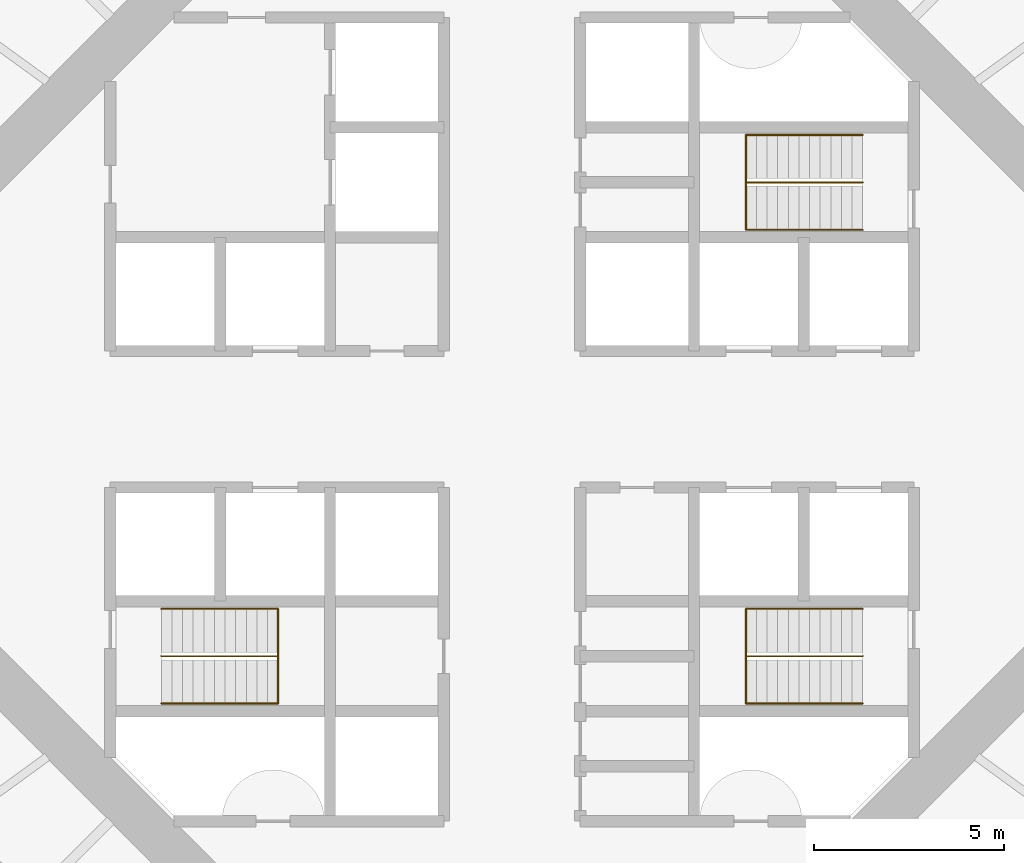
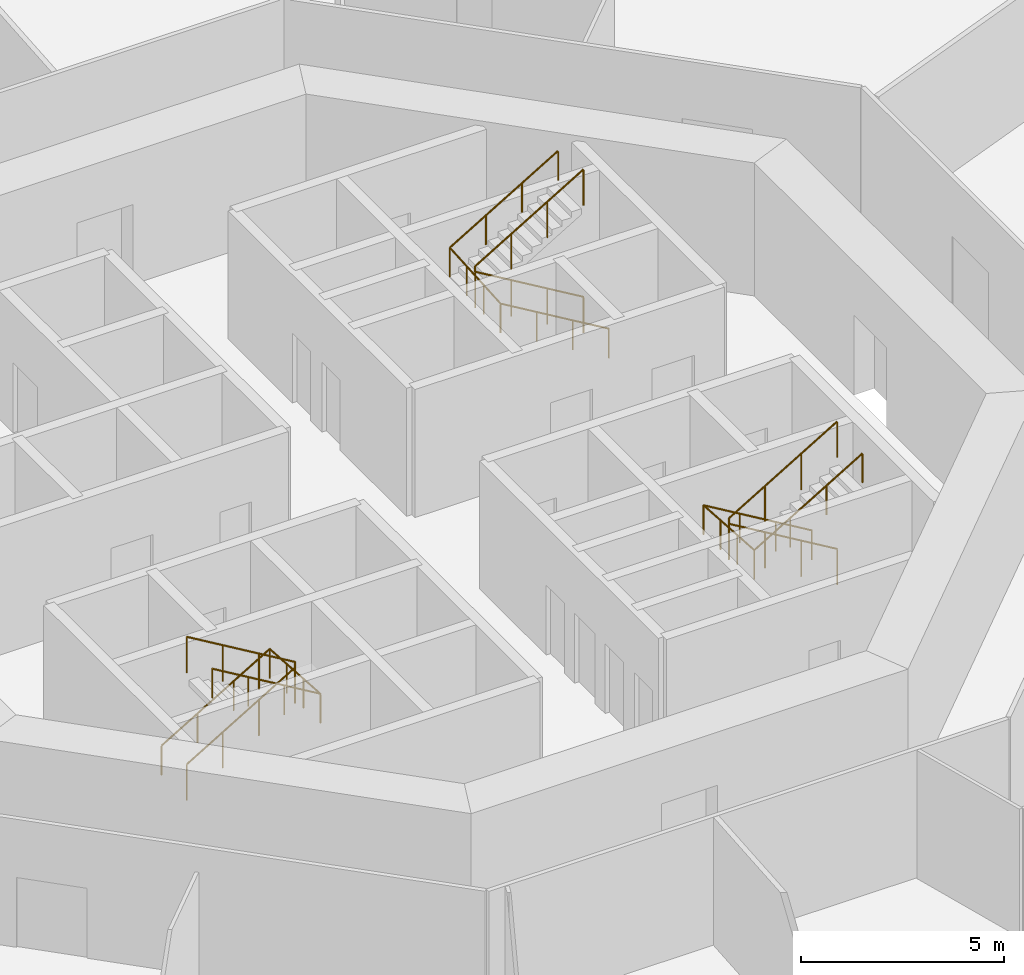
# One storey, part 14 of 14: 6 railings.
"""IFC4 building model written with IfcOpenShell, lengths in metres."""

from ifc_helpers import new_model, si_unit, direction, frame, origin, origin_2d, place, context, subcontext, project, spatial, circle, extrude, material, type_object, element, save


model = new_model("IFC4")

# Units and contexts
model_context = context("Model", 3, precision=1e-05, world=origin(), true_north=direction((0.0, 1.0)))
body_context = subcontext(model_context, "Body", "Model", "MODEL_VIEW")
ifc_project = project(units=[si_unit("LENGTHUNIT", "METRE"), si_unit("AREAUNIT", "SQUARE_METRE"), si_unit("VOLUMEUNIT", "CUBIC_METRE"), si_unit("PLANEANGLEUNIT", "RADIAN"), si_unit("MASSUNIT", "GRAM", prefix="KILO")], contexts=[model_context])

# Site, building, storey
site_placement = place(None, origin())
site = spatial("IfcSite", under=ifc_project, at=site_placement, CompositionType="ELEMENT")
building_placement = place(site_placement, origin())
building = spatial("IfcBuilding", under=site, at=building_placement, Name="Entoto Ring Tower", CompositionType="ELEMENT")
storey_placement = place(building_placement, frame((0.0, 0.0, 80.0)))
storey = spatial("IfcBuildingStorey", under=building, at=storey_placement, Name="L17", CompositionType="ELEMENT", Elevation=80.0)

# Railings
ifc_material_1 = material(Name="Steel S275", Category="steel")
railing_type_1 = type_object("IfcRailingType", Name="Stair guard 1100 mm steel", PredefinedType="GUARDRAIL", material=ifc_material_1)
railing_1_placement = place(storey_placement, frame((99.25, 86.25, 0.166748046875)))
element("IfcRailing", 1, at=railing_1_placement, inside=storey, type_object=railing_type_1, Name="Guard ST1", PredefinedType="GUARDRAIL", context=body_context, shape_type="SweptSolid", body=[
    extrude(circle(Radius=0.02392578125, at=origin_2d()), frame((0.0, 0.0, 1.076171875), z_axis=(-0.859308565015, 0.0, 0.511457515432), x_axis=(0.0, -1.0, 0.0)), (0.0, 0.0, 1.0), 3.58447265625),
    extrude(circle(Radius=0.02392578125, at=origin_2d()), frame((-3.080078125, 0.0, 2.9091796875), z_axis=(0.0, 0.0, 1.0), x_axis=(1.0, 0.0, 0.0)), (0.0, 0.0, 1.0), 0.166748046875),
    extrude(circle(Radius=0.02392578125, at=origin_2d()), frame((-3.080078125, 0.0, 3.076171875), z_axis=(0.859308565015, 0.0, 0.511457515432), x_axis=(0.0, 1.0, 0.0)), (0.0, 0.0, 1.0), 3.58447265625),
    extrude(circle(Radius=0.02099609375, at=origin_2d()), origin(), (0.0, 0.0, 1.0), 1.052001953125),
    extrude(circle(Radius=0.02099609375, at=origin_2d()), frame((-1.026611328125, 0.0, 0.611083984375)), (0.0, 0.0, 1.0), 1.052001953125),
    extrude(circle(Radius=0.02099609375, at=origin_2d()), frame((-2.053466796875, 0.0, 1.22216796875)), (0.0, 0.0, 1.0), 1.052001953125),
    extrude(circle(Radius=0.02099609375, at=origin_2d()), frame((-3.080078125, 0.0, 1.833251953125)), (0.0, 0.0, 1.0), 1.052001953125),
    extrude(circle(Radius=0.02099609375, at=origin_2d()), frame((-3.080078125, 0.0, 2.0)), (0.0, 0.0, 1.0), 1.052001953125),
    extrude(circle(Radius=0.02099609375, at=origin_2d()), frame((-2.053466796875, 0.0, 2.611083984375)), (0.0, 0.0, 1.0), 1.052001953125),
    extrude(circle(Radius=0.02099609375, at=origin_2d()), frame((-1.026611328125, 0.0, 3.22216796875)), (0.0, 0.0, 1.0), 1.052001953125),
    extrude(circle(Radius=0.02099609375, at=origin_2d()), frame((0.0, 0.0, 3.833251953125)), (0.0, 0.0, 1.0), 1.052001953125),
])
railing_2_placement = place(storey_placement, frame((80.75, 73.75, 0.166748046875)))
element("IfcRailing", 2, at=railing_2_placement, inside=storey, type_object=railing_type_1, Name="Guard ST2", PredefinedType="GUARDRAIL", context=body_context, shape_type="SweptSolid", body=[
    extrude(circle(Radius=0.02392578125, at=origin_2d()), frame((0.0, 0.0, 1.076171875), z_axis=(0.859308565015, 0.0, 0.511457515432), x_axis=(0.0, 1.0, 0.0)), (0.0, 0.0, 1.0), 3.58447265625),
    extrude(circle(Radius=0.02392578125, at=origin_2d()), frame((3.080078125, 0.0, 2.9091796875), z_axis=(0.0, 0.0, 1.0), x_axis=(1.0, 0.0, 0.0)), (0.0, 0.0, 1.0), 0.166748046875),
    extrude(circle(Radius=0.02392578125, at=origin_2d()), frame((3.080078125, 0.0, 3.076171875), z_axis=(-0.859308565015, 0.0, 0.511457515432), x_axis=(0.0, -1.0, 0.0)), (0.0, 0.0, 1.0), 3.58447265625),
    extrude(circle(Radius=0.02099609375, at=origin_2d()), origin(), (0.0, 0.0, 1.0), 1.052001953125),
    extrude(circle(Radius=0.02099609375, at=origin_2d()), frame((1.026611328125, 0.0, 0.611083984375)), (0.0, 0.0, 1.0), 1.052001953125),
    extrude(circle(Radius=0.02099609375, at=origin_2d()), frame((2.053466796875, 0.0, 1.22216796875)), (0.0, 0.0, 1.0), 1.052001953125),
    extrude(circle(Radius=0.02099609375, at=origin_2d()), frame((3.080078125, 0.0, 1.833251953125)), (0.0, 0.0, 1.0), 1.052001953125),
    extrude(circle(Radius=0.02099609375, at=origin_2d()), frame((3.080078125, 0.0, 2.0)), (0.0, 0.0, 1.0), 1.052001953125),
    extrude(circle(Radius=0.02099609375, at=origin_2d()), frame((2.053466796875, 0.0, 2.611083984375)), (0.0, 0.0, 1.0), 1.052001953125),
    extrude(circle(Radius=0.02099609375, at=origin_2d()), frame((1.026611328125, 0.0, 3.22216796875)), (0.0, 0.0, 1.0), 1.052001953125),
    extrude(circle(Radius=0.02099609375, at=origin_2d()), frame((0.0, 0.0, 3.833251953125)), (0.0, 0.0, 1.0), 1.052001953125),
])
railing_3_placement = place(storey_placement, frame((99.25, 73.75, 0.166748046875)))
element("IfcRailing", 3, at=railing_3_placement, inside=storey, type_object=railing_type_1, Name="Guard ST3", PredefinedType="GUARDRAIL", context=body_context, shape_type="SweptSolid", body=[
    extrude(circle(Radius=0.02392578125, at=origin_2d()), frame((0.0, 0.0, 1.076171875), z_axis=(-0.859308565015, 0.0, 0.511457515432), x_axis=(0.0, -1.0, 0.0)), (0.0, 0.0, 1.0), 3.58447265625),
    extrude(circle(Radius=0.02392578125, at=origin_2d()), frame((-3.080078125, 0.0, 2.9091796875), z_axis=(0.0, 0.0, 1.0), x_axis=(1.0, 0.0, 0.0)), (0.0, 0.0, 1.0), 0.166748046875),
    extrude(circle(Radius=0.02392578125, at=origin_2d()), frame((-3.080078125, 0.0, 3.076171875), z_axis=(0.859308565015, 0.0, 0.511457515432), x_axis=(0.0, 1.0, 0.0)), (0.0, 0.0, 1.0), 3.58447265625),
    extrude(circle(Radius=0.02099609375, at=origin_2d()), origin(), (0.0, 0.0, 1.0), 1.052001953125),
    extrude(circle(Radius=0.02099609375, at=origin_2d()), frame((-1.026611328125, 0.0, 0.611083984375)), (0.0, 0.0, 1.0), 1.052001953125),
    extrude(circle(Radius=0.02099609375, at=origin_2d()), frame((-2.053466796875, 0.0, 1.22216796875)), (0.0, 0.0, 1.0), 1.052001953125),
    extrude(circle(Radius=0.02099609375, at=origin_2d()), frame((-3.080078125, 0.0, 1.833251953125)), (0.0, 0.0, 1.0), 1.052001953125),
    extrude(circle(Radius=0.02099609375, at=origin_2d()), frame((-3.080078125, 0.0, 2.0)), (0.0, 0.0, 1.0), 1.052001953125),
    extrude(circle(Radius=0.02099609375, at=origin_2d()), frame((-2.053466796875, 0.0, 2.611083984375)), (0.0, 0.0, 1.0), 1.052001953125),
    extrude(circle(Radius=0.02099609375, at=origin_2d()), frame((-1.026611328125, 0.0, 3.22216796875)), (0.0, 0.0, 1.0), 1.052001953125),
    extrude(circle(Radius=0.02099609375, at=origin_2d()), frame((0.0, 0.0, 3.833251953125)), (0.0, 0.0, 1.0), 1.052001953125),
])
ifc_material_2 = material(Name="Steel S275", Category="steel")
railing_type_2 = type_object("IfcRailingType", Name="Stair handrail 900 mm steel", PredefinedType="HANDRAIL", material=ifc_material_2)
railing_4_placement = place(storey_placement, frame((99.25, 85.0, 0.166748046875)))
element("IfcRailing", 4, at=railing_4_placement, inside=storey, type_object=railing_type_2, Name="Handrail ST1", PredefinedType="HANDRAIL", context=body_context, shape_type="SweptSolid", body=[
    extrude(circle(Radius=0.02392578125, at=origin_2d()), frame((0.0, 0.0, 0.8759765625), z_axis=(-0.859308565015, 0.0, 0.511457515432), x_axis=(0.0, -1.0, 0.0)), (0.0, 0.0, 1.0), 3.58447265625),
    extrude(circle(Radius=0.02392578125, at=origin_2d()), frame((-3.080078125, 0.0, 2.708984375), z_axis=(0.0, 0.997783001586, 0.066551346688), x_axis=(-1.0, 0.0, 0.0)), (0.0, 0.0, 1.0), 2.505615234375),
    extrude(circle(Radius=0.02392578125, at=origin_2d()), frame((-3.080078125, 2.5, 2.8759765625), z_axis=(0.859308565015, 0.0, 0.511457515432), x_axis=(0.0, 1.0, 0.0)), (0.0, 0.0, 1.0), 3.58447265625),
    extrude(circle(Radius=0.02099609375, at=origin_2d()), origin(), (0.0, 0.0, 1.0), 0.851806640625),
    extrude(circle(Radius=0.02099609375, at=origin_2d()), frame((-1.026611328125, 0.0, 0.611083984375)), (0.0, 0.0, 1.0), 0.851806640625),
    extrude(circle(Radius=0.02099609375, at=origin_2d()), frame((-2.053466796875, 0.0, 1.22216796875)), (0.0, 0.0, 1.0), 0.851806640625),
    extrude(circle(Radius=0.02099609375, at=origin_2d()), frame((-3.080078125, 0.0, 1.833251953125)), (0.0, 0.0, 1.0), 0.851806640625),
    extrude(circle(Radius=0.02099609375, at=origin_2d()), frame((-3.080078125, 0.833251953125, 1.888916015625)), (0.0, 0.0, 1.0), 0.851806640625),
    extrude(circle(Radius=0.02099609375, at=origin_2d()), frame((-3.080078125, 1.666748046875, 1.9443359375)), (0.0, 0.0, 1.0), 0.851806640625),
    extrude(circle(Radius=0.02099609375, at=origin_2d()), frame((-3.080078125, 2.5, 2.0)), (0.0, 0.0, 1.0), 0.851806640625),
    extrude(circle(Radius=0.02099609375, at=origin_2d()), frame((-2.053466796875, 2.5, 2.611083984375)), (0.0, 0.0, 1.0), 0.851806640625),
    extrude(circle(Radius=0.02099609375, at=origin_2d()), frame((-1.026611328125, 2.5, 3.22216796875)), (0.0, 0.0, 1.0), 0.851806640625),
    extrude(circle(Radius=0.02099609375, at=origin_2d()), frame((0.0, 2.5, 3.833251953125)), (0.0, 0.0, 1.0), 0.851806640625),
])
railing_5_placement = place(storey_placement, frame((80.75, 75.0, 0.166748046875)))
element("IfcRailing", 5, at=railing_5_placement, inside=storey, type_object=railing_type_2, Name="Handrail ST2", PredefinedType="HANDRAIL", context=body_context, shape_type="SweptSolid", body=[
    extrude(circle(Radius=0.02392578125, at=origin_2d()), frame((0.0, 0.0, 0.8759765625), z_axis=(0.859308565015, 0.0, 0.511457515432), x_axis=(0.0, 1.0, 0.0)), (0.0, 0.0, 1.0), 3.58447265625),
    extrude(circle(Radius=0.02392578125, at=origin_2d()), frame((3.080078125, 0.0, 2.708984375), z_axis=(0.0, -0.997783001586, 0.066551346688), x_axis=(1.0, 0.0, 0.0)), (0.0, 0.0, 1.0), 2.505615234375),
    extrude(circle(Radius=0.02392578125, at=origin_2d()), frame((3.080078125, -2.5, 2.8759765625), z_axis=(-0.859308565015, 0.0, 0.511457515432), x_axis=(0.0, -1.0, 0.0)), (0.0, 0.0, 1.0), 3.58447265625),
    extrude(circle(Radius=0.02099609375, at=origin_2d()), origin(), (0.0, 0.0, 1.0), 0.851806640625),
    extrude(circle(Radius=0.02099609375, at=origin_2d()), frame((1.026611328125, 0.0, 0.611083984375)), (0.0, 0.0, 1.0), 0.851806640625),
    extrude(circle(Radius=0.02099609375, at=origin_2d()), frame((2.053466796875, 0.0, 1.22216796875)), (0.0, 0.0, 1.0), 0.851806640625),
    extrude(circle(Radius=0.02099609375, at=origin_2d()), frame((3.080078125, 0.0, 1.833251953125)), (0.0, 0.0, 1.0), 0.851806640625),
    extrude(circle(Radius=0.02099609375, at=origin_2d()), frame((3.080078125, -0.833251953125, 1.888916015625)), (0.0, 0.0, 1.0), 0.851806640625),
    extrude(circle(Radius=0.02099609375, at=origin_2d()), frame((3.080078125, -1.666748046875, 1.9443359375)), (0.0, 0.0, 1.0), 0.851806640625),
    extrude(circle(Radius=0.02099609375, at=origin_2d()), frame((3.080078125, -2.5, 2.0)), (0.0, 0.0, 1.0), 0.851806640625),
    extrude(circle(Radius=0.02099609375, at=origin_2d()), frame((2.053466796875, -2.5, 2.611083984375)), (0.0, 0.0, 1.0), 0.851806640625),
    extrude(circle(Radius=0.02099609375, at=origin_2d()), frame((1.026611328125, -2.5, 3.22216796875)), (0.0, 0.0, 1.0), 0.851806640625),
    extrude(circle(Radius=0.02099609375, at=origin_2d()), frame((0.0, -2.5, 3.833251953125)), (0.0, 0.0, 1.0), 0.851806640625),
])
railing_6_placement = place(storey_placement, frame((99.25, 75.0, 0.166748046875)))
element("IfcRailing", 6, at=railing_6_placement, inside=storey, type_object=railing_type_2, Name="Handrail ST3", PredefinedType="HANDRAIL", context=body_context, shape_type="SweptSolid", body=[
    extrude(circle(Radius=0.02392578125, at=origin_2d()), frame((0.0, 0.0, 0.8759765625), z_axis=(-0.859308565015, 0.0, 0.511457515432), x_axis=(0.0, -1.0, 0.0)), (0.0, 0.0, 1.0), 3.58447265625),
    extrude(circle(Radius=0.02392578125, at=origin_2d()), frame((-3.080078125, 0.0, 2.708984375), z_axis=(0.0, -0.997783001586, 0.066551346688), x_axis=(1.0, 0.0, 0.0)), (0.0, 0.0, 1.0), 2.505615234375),
    extrude(circle(Radius=0.02392578125, at=origin_2d()), frame((-3.080078125, -2.5, 2.8759765625), z_axis=(0.859308565015, 0.0, 0.511457515432), x_axis=(0.0, 1.0, 0.0)), (0.0, 0.0, 1.0), 3.58447265625),
    extrude(circle(Radius=0.02099609375, at=origin_2d()), origin(), (0.0, 0.0, 1.0), 0.851806640625),
    extrude(circle(Radius=0.02099609375, at=origin_2d()), frame((-1.026611328125, 0.0, 0.611083984375)), (0.0, 0.0, 1.0), 0.851806640625),
    extrude(circle(Radius=0.02099609375, at=origin_2d()), frame((-2.053466796875, 0.0, 1.22216796875)), (0.0, 0.0, 1.0), 0.851806640625),
    extrude(circle(Radius=0.02099609375, at=origin_2d()), frame((-3.080078125, 0.0, 1.833251953125)), (0.0, 0.0, 1.0), 0.851806640625),
    extrude(circle(Radius=0.02099609375, at=origin_2d()), frame((-3.080078125, -0.833251953125, 1.888916015625)), (0.0, 0.0, 1.0), 0.851806640625),
    extrude(circle(Radius=0.02099609375, at=origin_2d()), frame((-3.080078125, -1.666748046875, 1.9443359375)), (0.0, 0.0, 1.0), 0.851806640625),
    extrude(circle(Radius=0.02099609375, at=origin_2d()), frame((-3.080078125, -2.5, 2.0)), (0.0, 0.0, 1.0), 0.851806640625),
    extrude(circle(Radius=0.02099609375, at=origin_2d()), frame((-2.053466796875, -2.5, 2.611083984375)), (0.0, 0.0, 1.0), 0.851806640625),
    extrude(circle(Radius=0.02099609375, at=origin_2d()), frame((-1.026611328125, -2.5, 3.22216796875)), (0.0, 0.0, 1.0), 0.851806640625),
    extrude(circle(Radius=0.02099609375, at=origin_2d()), frame((0.0, -2.5, 3.833251953125)), (0.0, 0.0, 1.0), 0.851806640625),
])

save(model, "model.ifc")
